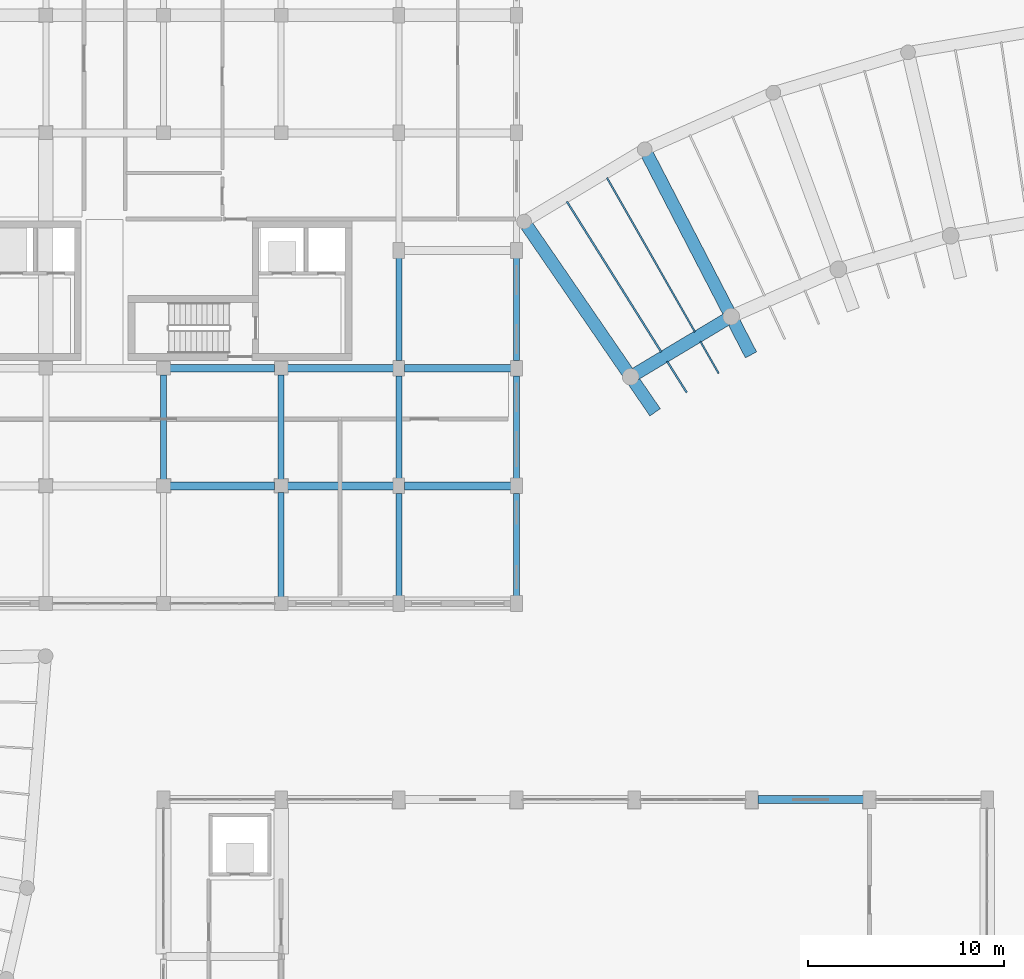
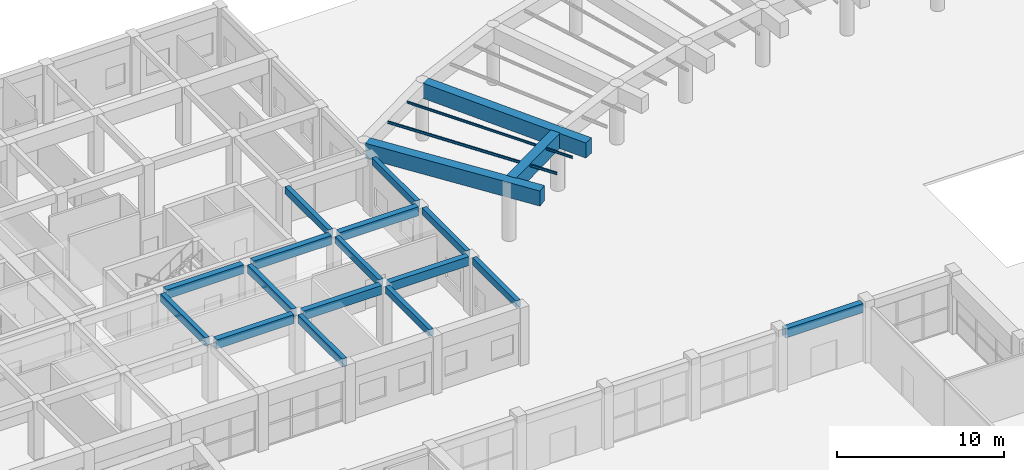
# One storey, part 27 of 76: 23 beams.
"""IFC4 building model written with IfcOpenShell, lengths in metres."""

import ifcopenshell
import ifcopenshell.guid

model = None  # the IFC model being written
_history = None  # IfcOwnerHistory: only IFC2X3 demands one
_inside = {}  # id of a spatial element -> (the spatial element, [elements in it])
_under = {}  # id of a project, library or spatial element -> (it, [spatial elements below it])
_declared = {}  # id of a project -> (the project, [libraries it declares])
_typed = {}  # id of a type object -> (the type object, [elements of that type])
_made_of = {}  # id of a material, layer set ... -> (it, [elements and type objects made of it])


def new_model(schema):
    """Start an empty IFC model of exactly this schema.

    Asked for "IFC4X3", IfcOpenShell would pick the latest addendum, in which some entities
    have other attributes; the version numbers below select the first issue.
    IFC2X3 requires an IfcOwnerHistory on every rooted entity: one is made here for all.
    """
    global model, _history
    if schema == "IFC4X3":
        model = ifcopenshell.file(schema_version=(4, 3, 0, 0))
    else:
        model = ifcopenshell.file(schema=schema)
    _inside.clear()
    _under.clear()
    _declared.clear()
    _typed.clear()
    _made_of.clear()
    _history = None
    if model.schema == "IFC2X3":
        org = make("IfcOrganization", Name="unknown")
        user = make(
            "IfcPersonAndOrganization",
            ThePerson=make("IfcPerson", FamilyName="unknown"),
            TheOrganization=org,
        )
        app = make(
            "IfcApplication",
            ApplicationDeveloper=org,
            Version="unknown",
            ApplicationFullName="unknown",
            ApplicationIdentifier="unknown",
        )
        _history = make(
            "IfcOwnerHistory",
            OwningUser=user,
            OwningApplication=app,
            ChangeAction="ADDED",
            CreationDate=0,
        )
    return model


def make(cls, **values):
    """One entity of the class cls with the attributes given. An attribute that is None is left unset."""
    return model.create_entity(
        cls, **{name: value for name, value in values.items() if value is not None}
    )


def rooted(cls, **values):
    """An entity with a GlobalId (a new one), such as an element, a storey or a relation."""
    return make(cls, GlobalId=ifcopenshell.guid.new(), OwnerHistory=_history, **values)


def si_unit(unit_type, name, prefix=None):
    """IfcSIUnit, for example si_unit("LENGTHUNIT", "METRE", prefix="MILLI")."""
    return make("IfcSIUnit", UnitType=unit_type, Prefix=prefix, Name=name)


def assignment(units):
    """IfcUnitAssignment: the units of a project."""
    return None if units is None else make("IfcUnitAssignment", Units=units)


def point(xyz):
    """IfcCartesianPoint."""
    return None if xyz is None else make("IfcCartesianPoint", Coordinates=xyz)


def direction(xyz):
    """IfcDirection."""
    return None if xyz is None else make("IfcDirection", DirectionRatios=xyz)


def frame(location, z_axis=None, x_axis=None):
    """IfcAxis2Placement3D, a coordinate frame: its origin and axes. An axis left out is left unset."""
    return make(
        "IfcAxis2Placement3D",
        Location=point(location),
        Axis=direction(z_axis),
        RefDirection=direction(x_axis),
    )


def frame_2d(location, x_axis=None):
    """IfcAxis2Placement2D, a coordinate frame in the plane: its origin and x axis."""
    return make(
        "IfcAxis2Placement2D", Location=point(location), RefDirection=direction(x_axis)
    )


def origin():
    """The frame at (0, 0, 0) with its axes left unset."""
    return frame((0.0, 0.0, 0.0))


def origin_2d():
    """The frame at (0, 0) in the plane with its x axis left unset."""
    return frame_2d((0.0, 0.0))


def place(relative_to, where):
    """IfcLocalPlacement: puts the frame where relative to a parent placement (None: the world)."""
    return make(
        "IfcLocalPlacement", PlacementRelTo=relative_to, RelativePlacement=where
    )


def context(
    kind, dimensions, precision=None, world=None, true_north=None, identifier=None
):
    """IfcGeometricRepresentationContext, for example the 3D "Model" context."""
    return make(
        "IfcGeometricRepresentationContext",
        ContextIdentifier=identifier,
        ContextType=kind,
        CoordinateSpaceDimension=dimensions,
        Precision=precision,
        WorldCoordinateSystem=world,
        TrueNorth=true_north,
    )


def subcontext(parent, identifier, kind, view, scale=None):
    """IfcGeometricRepresentationSubContext, for example "Body" below "Model"."""
    return make(
        "IfcGeometricRepresentationSubContext",
        ContextIdentifier=identifier,
        ContextType=kind,
        ParentContext=parent,
        TargetScale=scale,
        TargetView=view,
    )


def project(units=None, contexts=None):
    """IfcProject with its units and contexts."""
    return rooted(
        "IfcProject",
        Name="project",
        RepresentationContexts=contexts,
        UnitsInContext=assignment(units),
    )


def spatial(cls, under=None, at=None, **own):
    """A site, building, storey or space (cls), placed at a placement, below another one or the project."""
    s = rooted(cls, ObjectPlacement=at, **own)
    if under is not None:
        _under.setdefault(under.id(), (under, []))[1].append(s)
    return s


def profile(cls, at=None, kind="AREA", **sizes):
    """A parametric profile (cls). Its sizes go by their IFC names, for example OverallWidth=200.0."""
    return make(cls, ProfileType=kind, Position=at, **sizes)


def rectangle(**sizes):
    """IfcRectangleProfileDef."""
    return profile("IfcRectangleProfileDef", **sizes)


def i_section(**sizes):
    """IfcIShapeProfileDef."""
    return profile("IfcIShapeProfileDef", **sizes)


def extrude(swept, where, along, depth):
    """IfcExtrudedAreaSolid: the profile swept, set in the frame where, extruded along a direction by depth."""
    return make(
        "IfcExtrudedAreaSolid",
        SweptArea=swept,
        Position=where,
        ExtrudedDirection=direction(along),
        Depth=depth,
    )


def shape(context_of_items, identifier, shape_type, items):
    """IfcShapeRepresentation: the items that make up one representation, for example the "Body"."""
    return make(
        "IfcShapeRepresentation",
        ContextOfItems=context_of_items,
        RepresentationIdentifier=identifier,
        RepresentationType=shape_type,
        Items=items,
    )


def material(Name=None, Category=None):
    """IfcMaterial."""
    return make("IfcMaterial", Name=Name, Category=Category)


def material_profile(
    of_material, cross_section, Name=None, Category=None, Priority=None
):
    """IfcMaterialProfile: a cross section and its material."""
    return make(
        "IfcMaterialProfile",
        Name=Name,
        Material=of_material,
        Profile=cross_section,
        Priority=Priority,
        Category=Category,
    )


def profile_set(profiles, Name=None, composite=None):
    """IfcMaterialProfileSet."""
    return make(
        "IfcMaterialProfileSet",
        Name=Name,
        MaterialProfiles=profiles,
        CompositeProfile=composite,
    )


def made_of(thing, what):
    """Note that an element or type object is made of a material, layer set ...; save() writes the relation."""
    if what is not None:
        _made_of.setdefault(what.id(), (what, []))[1].append(thing)
    return thing


def type_object(cls, material=None, **own):
    """A type object (cls), such as IfcWallType, which elements share."""
    return made_of(rooted(cls, **own), material)


def element(
    cls,
    number,
    at=None,
    inside=None,
    cuts=None,
    type_object=None,
    material=None,
    context=None,
    identifier="Body",
    shape_type=None,
    held_by="IfcProductDefinitionShape",
    body=None,
    shapes=None,
    **own,
):
    """One element of the class cls, such as IfcWall. Its Tag is "e" and its number.

    at: its placement. inside: the storey or other place that contains it. cuts: it is an
    opening in that element (IfcRelVoidsElement). A single representation is given by context,
    identifier, shape_type and body (its items); several are given by shapes. held_by: the class
    of the entity that holds the representations. save() writes the other relations.
    """
    e = rooted(cls, Tag="e%d" % number, ObjectPlacement=at, **own)
    if body is not None:
        shapes = [shape(context, identifier, shape_type, body)]
    if shapes is not None:
        e.Representation = make(held_by, Representations=shapes)
    if inside is not None:
        _inside.setdefault(inside.id(), (inside, []))[1].append(e)
    if cuts is not None:
        rooted(
            "IfcRelVoidsElement", RelatingBuildingElement=cuts, RelatedOpeningElement=e
        )
    if type_object is not None:
        _typed.setdefault(type_object.id(), (type_object, []))[1].append(e)
    return made_of(e, material)


def aggregate(whole, parts):
    """IfcRelAggregates: a whole, such as a stair, and the parts it consists of."""
    return rooted("IfcRelAggregates", RelatingObject=whole, RelatedObjects=parts)


def save(model, path):
    """Write the relations noted so far, then the file.

    IfcRelAggregates (storeys below a building ...), IfcRelContainedInSpatialStructure (elements
    in a storey), IfcRelDefinesByType, IfcRelAssociatesMaterial and IfcRelDeclares: one each for
    every whole, place, type object, material and project.
    """
    for whole, parts in _under.values():
        aggregate(whole, parts)
    for where, things in _inside.values():
        rooted(
            "IfcRelContainedInSpatialStructure",
            RelatedElements=things,
            RelatingStructure=where,
        )
    for kind, things in _typed.values():
        rooted("IfcRelDefinesByType", RelatedObjects=things, RelatingType=kind)
    for what, things in _made_of.values():
        rooted("IfcRelAssociatesMaterial", RelatedObjects=things, RelatingMaterial=what)
    for by, libraries in _declared.values():
        rooted("IfcRelDeclares", RelatingContext=by, RelatedDefinitions=libraries)
    model.write(path)


model = new_model("IFC4")

# Units and contexts
model_context = context("Model", 3, precision=1e-05, world=origin(), true_north=direction((0.0, 1.0)))
body_context = subcontext(model_context, "Body", "Model", "MODEL_VIEW")
ifc_project = project(units=[si_unit("LENGTHUNIT", "METRE"), si_unit("AREAUNIT", "SQUARE_METRE"), si_unit("VOLUMEUNIT", "CUBIC_METRE"), si_unit("PLANEANGLEUNIT", "RADIAN"), si_unit("MASSUNIT", "GRAM", prefix="KILO"), si_unit("POWERUNIT", "WATT"), si_unit("THERMODYNAMICTEMPERATUREUNIT", "KELVIN")], contexts=[model_context])

# Site, building, storey
site_placement = place(None, origin())
site = spatial("IfcSite", under=ifc_project, at=site_placement, CompositionType="ELEMENT")
building_placement = place(site_placement, origin())
building = spatial("IfcBuilding", under=site, at=building_placement, Name="Ruvembo Vaulted Housing Court", CompositionType="ELEMENT")
storey_placement = place(building_placement, origin())
storey = spatial("IfcBuildingStorey", under=building, at=storey_placement, Name="L00", CompositionType="ELEMENT", Elevation=0.0)

# Beams
ifc_material_1 = material(Name="Concrete C35/45", Category="concrete")
ifc_material_profile_1 = material_profile(ifc_material_1, rectangle(XDim=0.300048828125, YDim=0.60009765625, at=origin_2d()), Name="RC 300x600")
ifc_profile_set_1 = profile_set([ifc_material_profile_1], Name="Concrete C35/45")
beam_type_1 = type_object("IfcBeamType", Name="BM-RC-300x600", PredefinedType="BEAM", material=ifc_profile_set_1)
for number, where, z_axis, x_axis, name in (
    (1, (66.0, 84.3349609375, 3.929931640625), (0.0, 1.0, 0.0), (-1.0, 0.0, 0.0), "L00 Grid Beam Y #1012"),
    (2, (72.0, 78.3349609375, 3.929931640625), (0.0, 1.0, 0.0), (-1.0, 0.0, 0.0), "L00 Grid Beam Y #1019"),
    (3, (72.0, 84.3349609375, 3.929931640625), (0.0, 1.0, 0.0), (-1.0, 0.0, 0.0), "L00 Grid Beam Y #1020"),
):
    element("IfcBeam", number, at=place(storey_placement, frame(where, z_axis=z_axis, x_axis=x_axis)), inside=storey, type_object=beam_type_1, Name=name, PredefinedType="BEAM", context=body_context, shape_type="SweptSolid", body=[
        extrude(rectangle(XDim=0.300048828125, YDim=0.60009765625, at=origin_2d()), origin(), (0.0, 0.0, 1.0), 5.330078125),
    ])
ifc_material_profile_2 = material_profile(ifc_material_1, rectangle(XDim=0.39990234375, YDim=0.64990234375, at=origin_2d()), Name="RC 400x650")
ifc_profile_set_2 = profile_set([ifc_material_profile_2], Name="Concrete C35/45")
beam_type_2 = type_object("IfcBeamType", Name="BM-RC-400x650", PredefinedType="BEAM", material=ifc_profile_set_2)
beam_1_placement = place(storey_placement, frame((96.31005859375, 68.0, 3.905029296875), z_axis=(1.0, 0.0, 0.0), x_axis=(0.0, 1.0, 0.0)))
element("IfcBeam", 4, at=beam_1_placement, inside=storey, type_object=beam_type_2, Name="L00 Grid Beam X #850", PredefinedType="BEAM", context=body_context, shape_type="SweptSolid", body=[
    extrude(rectangle(XDim=0.39990234375, YDim=0.64990234375, at=origin_2d()), origin(), (0.0, 0.0, 1.0), 5.3798828125),
])
beam_2_placement = place(storey_placement, frame((66.3349609375, 84.0, 3.905029296875), z_axis=(1.0, 0.0, 0.0), x_axis=(0.0, 1.0, 0.0)))
element("IfcBeam", 5, at=beam_2_placement, inside=storey, type_object=beam_type_2, Name="L00 Grid Beam X #879", PredefinedType="BEAM", context=body_context, shape_type="SweptSolid", body=[
    extrude(rectangle(XDim=0.39990234375, YDim=0.64990234375, at=origin_2d()), origin(), (0.0, 0.0, 1.0), 5.330078125),
])
beam_3_placement = place(storey_placement, frame((72.3349609375, 84.0, 3.905029296875), z_axis=(1.0, 0.0, 0.0), x_axis=(0.0, 1.0, 0.0)))
element("IfcBeam", 6, at=beam_3_placement, inside=storey, type_object=beam_type_2, Name="L00 Grid Beam X #880", PredefinedType="BEAM", context=body_context, shape_type="SweptSolid", body=[
    extrude(rectangle(XDim=0.39990234375, YDim=0.64990234375, at=origin_2d()), origin(), (0.0, 0.0, 1.0), 5.380126953125),
])
beam_4_placement = place(storey_placement, frame((78.284912109375, 84.0, 3.905029296875), z_axis=(1.0, 0.0, 0.0), x_axis=(0.0, 1.0, 0.0)))
element("IfcBeam", 7, at=beam_4_placement, inside=storey, type_object=beam_type_2, Name="L00 Grid Beam X #881", PredefinedType="BEAM", context=body_context, shape_type="SweptSolid", body=[
    extrude(rectangle(XDim=0.39990234375, YDim=0.64990234375, at=origin_2d()), origin(), (0.0, 0.0, 1.0), 5.43017578125),
])
beam_5_placement = place(storey_placement, frame((66.3349609375, 90.0, 3.905029296875), z_axis=(1.0, 0.0, 0.0), x_axis=(0.0, 1.0, 0.0)))
element("IfcBeam", 8, at=beam_5_placement, inside=storey, type_object=beam_type_2, Name="L00 Grid Beam X #891", PredefinedType="BEAM", context=body_context, shape_type="SweptSolid", body=[
    extrude(rectangle(XDim=0.39990234375, YDim=0.64990234375, at=origin_2d()), origin(), (0.0, 0.0, 1.0), 5.330078125),
])
beam_6_placement = place(storey_placement, frame((72.3349609375, 90.0, 3.905029296875), z_axis=(1.0, 0.0, 0.0), x_axis=(0.0, 1.0, 0.0)))
element("IfcBeam", 9, at=beam_6_placement, inside=storey, type_object=beam_type_2, Name="L00 Grid Beam X #892", PredefinedType="BEAM", context=body_context, shape_type="SweptSolid", body=[
    extrude(rectangle(XDim=0.39990234375, YDim=0.64990234375, at=origin_2d()), origin(), (0.0, 0.0, 1.0), 5.380126953125),
])
beam_7_placement = place(storey_placement, frame((78.284912109375, 90.0, 3.905029296875), z_axis=(1.0, 0.0, 0.0), x_axis=(0.0, 1.0, 0.0)))
element("IfcBeam", 10, at=beam_7_placement, inside=storey, type_object=beam_type_2, Name="L00 Grid Beam X #893", PredefinedType="BEAM", context=body_context, shape_type="SweptSolid", body=[
    extrude(rectangle(XDim=0.39990234375, YDim=0.64990234375, at=origin_2d()), origin(), (0.0, 0.0, 1.0), 5.43017578125),
])
ifc_material_2 = material(Name="Steel S355J2", Category="steel")
ifc_material_profile_3 = material_profile(ifc_material_2, i_section(OverallWidth=0.08203125, OverallDepth=0.159912109375, WebThickness=0.0048828125, FlangeThickness=0.00732421875, FilletRadius=0.009033203125, at=origin_2d()), Name="IPE 160")
ifc_profile_set_3 = profile_set([ifc_material_profile_3], Name="Steel S355J2")
beam_type_3 = type_object("IfcBeamType", Name="BM-ST-IPE160", PredefinedType="JOIST", material=ifc_profile_set_3)
beam_8_placement = place(storey_placement, frame((88.60888671875, 99.715087890625, 4.159912109375), z_axis=(0.495892068574, -0.868384164023, 0.0), x_axis=(0.868384164023, 0.495892068574, 0.0)))
element("IfcBeam", 11, at=beam_8_placement, inside=storey, type_object=beam_type_3, Name="Scoop SC3 L00 Interior Radial Joist 2", PredefinedType="JOIST", context=body_context, shape_type="SweptSolid", body=[
    extrude(i_section(OverallWidth=0.08203125, OverallDepth=0.159912109375, WebThickness=0.0048828125, FlangeThickness=0.00732421875, FilletRadius=0.009033203125, at=origin_2d()), origin(), (0.0, 0.0, 1.0), 9.053466796875),
])
beam_9_placement = place(storey_placement, frame((93.376220703125, 91.366943359375, 4.159912109375), z_axis=(0.495900818479, -0.868379167318, 0.0), x_axis=(0.868379167318, 0.495900818479, 0.0)))
element("IfcBeam", 12, at=beam_9_placement, inside=storey, type_object=beam_type_3, Name="Scoop SC3 L00 Radial Balcony Outrigger Joist 2", PredefinedType="JOIST", context=body_context, shape_type="SweptSolid", body=[
    extrude(i_section(OverallWidth=0.08203125, OverallDepth=0.159912109375, WebThickness=0.0048828125, FlangeThickness=0.00732421875, FilletRadius=0.009033203125, at=origin_2d()), origin(), (0.0, 0.0, 1.0), 1.877197265625),
])
ifc_material_profile_4 = material_profile(ifc_material_2, i_section(OverallWidth=0.091064453125, OverallDepth=0.179931640625, WebThickness=0.00537109375, FlangeThickness=0.008056640625, FilletRadius=0.009033203125, at=origin_2d()), Name="IPE 180")
ifc_profile_set_4 = profile_set([ifc_material_profile_4], Name="Steel S355J2")
beam_type_4 = type_object("IfcBeamType", Name="BM-ST-IPE180", PredefinedType="JOIST", material=ifc_profile_set_4)
beam_10_placement = place(storey_placement, frame((86.570068359375, 98.494140625, 4.14990234375), z_axis=(0.531513075688, -0.847050087287, 0.0), x_axis=(0.847050087287, 0.531513075688, 0.0)))
element("IfcBeam", 13, at=beam_10_placement, inside=storey, type_object=beam_type_4, Name="Scoop SC3 L00 Interior Radial Joist 1", PredefinedType="JOIST", context=body_context, shape_type="SweptSolid", body=[
    extrude(i_section(OverallWidth=0.091064453125, OverallDepth=0.179931640625, WebThickness=0.00537109375, FlangeThickness=0.008056640625, FilletRadius=0.009033203125, at=origin_2d()), origin(), (0.0, 0.0, 1.0), 9.053466796875),
])
beam_11_placement = place(storey_placement, frame((91.679931640625, 90.35107421875, 4.14990234375), z_axis=(0.531470946199, -0.847076521541, 0.0), x_axis=(0.847076521541, 0.531470946199, 0.0)))
element("IfcBeam", 14, at=beam_11_placement, inside=storey, type_object=beam_type_4, Name="Scoop SC3 L00 Radial Balcony Outrigger Joist 1", PredefinedType="JOIST", context=body_context, shape_type="SweptSolid", body=[
    extrude(i_section(OverallWidth=0.091064453125, OverallDepth=0.179931640625, WebThickness=0.00537109375, FlangeThickness=0.008056640625, FilletRadius=0.009033203125, at=origin_2d()), origin(), (0.0, 0.0, 1.0), 1.87744140625),
])
ifc_material_profile_5 = material_profile(ifc_material_1, rectangle(XDim=0.300048828125, YDim=0.5, at=origin_2d()), Name="RC 300x500")
ifc_profile_set_5 = profile_set([ifc_material_profile_5], Name="Concrete C35/45")
beam_type_5 = type_object("IfcBeamType", Name="SP-RC-300x500", PredefinedType="SPANDREL", material=ifc_profile_set_5)
for number, where, z_axis, x_axis, name in (
    (15, (78.0, 78.385009765625, 3.97998046875), (0.0, 1.0, 0.0), (-1.0, 0.0, 0.0), "L00 Grid Beam Y #1023"),
    (16, (78.0, 84.385009765625, 3.97998046875), (0.0, 1.0, 0.0), (-1.0, 0.0, 0.0), "L00 Grid Beam Y #1024"),
    (17, (78.0, 90.385009765625, 3.97998046875), (0.0, 1.0, 0.0), (-1.0, 0.0, 0.0), "L00 Grid Beam Y #1025"),
    (18, (84.0, 78.385009765625, 3.97998046875), (0.0, 1.0, 0.0), (-1.0, 0.0, 0.0), "L00 Grid Beam Y #1029"),
    (19, (84.0, 84.385009765625, 3.97998046875), (0.0, 1.0, 0.0), (-1.0, 0.0, 0.0), "L00 Grid Beam Y #1030"),
    (20, (84.0, 90.385009765625, 3.97998046875), (0.0, 1.0, 0.0), (-1.0, 0.0, 0.0), "L00 Grid Beam Y #1031"),
):
    element("IfcBeam", number, at=place(storey_placement, frame(where, z_axis=z_axis, x_axis=x_axis)), inside=storey, type_object=beam_type_5, Name=name, PredefinedType="SPANDREL", context=body_context, shape_type="SweptSolid", body=[
        extrude(rectangle(XDim=0.300048828125, YDim=0.5, at=origin_2d()), origin(), (0.0, 0.0, 1.0), 5.22998046875),
    ])
ifc_material_3 = material(Name="Concrete C40/50", Category="concrete")
ifc_material_profile_6 = material_profile(ifc_material_3, rectangle(XDim=0.64990234375, YDim=1.10009765625, at=origin_2d()), Name="RC 650x1100")
ifc_profile_set_6 = profile_set([ifc_material_profile_6], Name="Concrete C40/50")
beam_type_6 = type_object("IfcBeamType", Name="TB-RC-650x1100", PredefinedType="BEAM", material=ifc_profile_set_6)
beam_12_placement = place(storey_placement, frame((90.06201171875, 89.70849609375, 3.697998046875), z_axis=(0.857906492272, 0.513805849049, 0.0), x_axis=(-0.513805849049, 0.857906492272, 0.0)))
element("IfcBeam", 21, at=beam_12_placement, inside=storey, type_object=beam_type_6, Name="Scoop SC3 Pilotis Transfer Girder F0", PredefinedType="BEAM", context=body_context, shape_type="SweptSolid", body=[
    extrude(rectangle(XDim=0.64990234375, YDim=1.10009765625, at=origin_2d()), origin(), (0.0, 0.0, 1.0), 5.41357421875),
])
beam_13_placement = place(storey_placement, frame((84.522216796875, 97.279541015625, 3.697998046875), z_axis=(0.566202512951, -0.824266167162, 0.0), x_axis=(0.824266167162, 0.566202512951, 0.0)))
element("IfcBeam", 22, at=beam_13_placement, inside=storey, type_object=beam_type_6, Name="Scoop SC3 Radial Pilotis Transfer Girder 0", PredefinedType="BEAM", context=body_context, shape_type="SweptSolid", body=[
    extrude(rectangle(XDim=0.64990234375, YDim=1.10009765625, at=origin_2d()), origin(), (0.0, 0.0, 1.0), 11.559814453125),
])
beam_14_placement = place(storey_placement, frame((90.646240234375, 100.947509765625, 3.697998046875), z_axis=(0.459445900099, -0.888205755939, 0.0), x_axis=(0.888205755939, 0.459445900099, 0.0)))
element("IfcBeam", 23, at=beam_14_placement, inside=storey, type_object=beam_type_6, Name="Scoop SC3 Radial Pilotis Transfer Girder 3", PredefinedType="BEAM", context=body_context, shape_type="SweptSolid", body=[
    extrude(rectangle(XDim=0.64990234375, YDim=1.10009765625, at=origin_2d()), origin(), (0.0, 0.0, 1.0), 11.560302734375),
])

save(model, "model.ifc")
